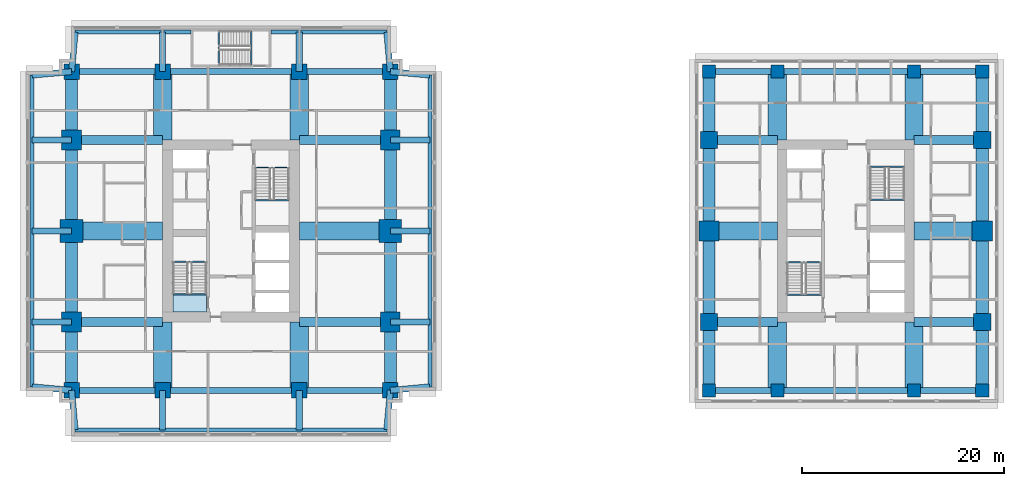
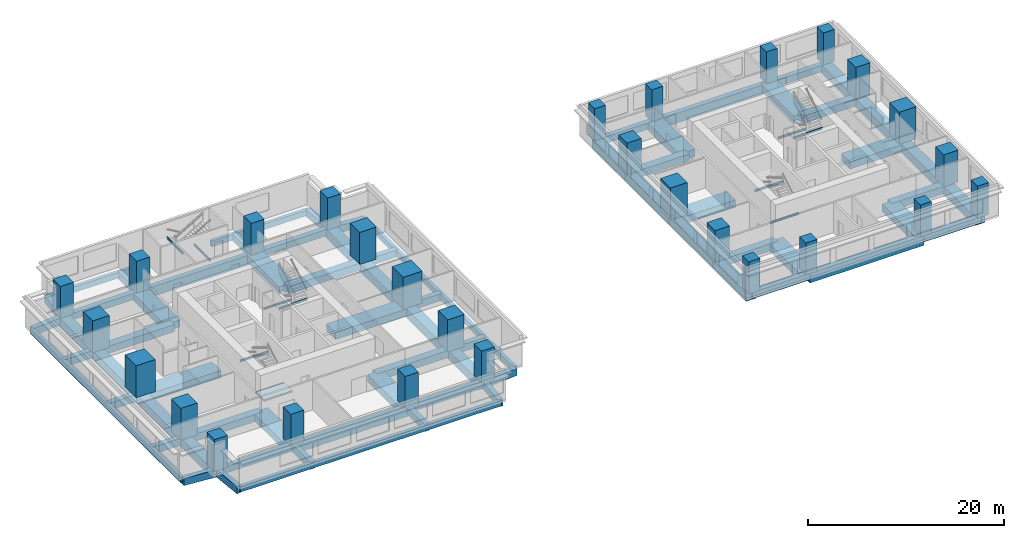
# One storey, part 1 of 11: 81 beams, 28 columns, 1 slab, 1 element without a shape of its own.
"""IFC4 building model written with IfcOpenShell, lengths in metres."""

from ifc_helpers import new_model, si_unit, direction, frame, origin, origin_2d, place, context, subcontext, project, spatial, polyline, rectangle, i_section, outline, extrude, material, layer, layer_set, material_profile, profile_set, type_object, element, aggregate, save


model = new_model("IFC4")

# Units and contexts
model_context = context("Model", 3, precision=1e-05, world=origin(), true_north=direction((0.0, 1.0)))
body_context = subcontext(model_context, "Body", "Model", "MODEL_VIEW")
ifc_project = project(units=[si_unit("LENGTHUNIT", "METRE"), si_unit("AREAUNIT", "SQUARE_METRE"), si_unit("VOLUMEUNIT", "CUBIC_METRE"), si_unit("PLANEANGLEUNIT", "RADIAN"), si_unit("MASSUNIT", "GRAM", prefix="KILO")], contexts=[model_context])

# Site, building, storey
site_placement = place(None, origin())
site = spatial("IfcSite", under=ifc_project, at=site_placement, CompositionType="ELEMENT")
building_placement = place(site_placement, origin())
building = spatial("IfcBuilding", under=site, at=building_placement, Name="Namib Vertical Campus", CompositionType="ELEMENT")
storey_placement = place(building_placement, frame((0.0, 0.0, 221.0)))
storey = spatial("IfcBuildingStorey", under=building, at=storey_placement, Name="L52", CompositionType="ELEMENT", Elevation=221.0)

# Columns
ifc_material_1 = material(Name="Concrete C60/75", Category="concrete")
ifc_material_profile_1 = material_profile(ifc_material_1, rectangle(XDim=1.300048828125, YDim=1.300048828125, at=origin_2d()))
ifc_profile_set_1 = profile_set([ifc_material_profile_1], Name="Concrete C60/75")
column_type_1 = type_object("IfcColumnType", Name="Column RC 1300x1300", PredefinedType="COLUMN", material=ifc_profile_set_1)
for number, where, z_axis, x_axis, name in (
    (1, (67.5, 4.5, 0.0), (0.0, 0.0, 1.0), (1.0, 0.0, 0.0), "Column C130 L52"),
    (2, (74.25, 4.5, 0.0), (0.0, 0.0, 1.0), (1.0, 0.0, 0.0), "Column C130 L52"),
    (3, (87.75, 4.5, 0.0), (0.0, 0.0, 1.0), (1.0, 0.0, 0.0), "Column C130 L52"),
    (4, (94.5, 4.5, 0.0), (0.0, 0.0, 1.0), (1.0, 0.0, 0.0), "Column C130 L52"),
    (5, (67.5, 36.0, 0.0), (0.0, 0.0, 1.0), (1.0, 0.0, 0.0), "Column C130 L52"),
    (6, (74.25, 36.0, 0.0), (0.0, 0.0, 1.0), (1.0, 0.0, 0.0), "Column C130 L52"),
    (7, (87.75, 36.0, 0.0), (0.0, 0.0, 1.0), (1.0, 0.0, 0.0), "Column C130 L52"),
    (8, (94.5, 36.0, 0.0), (0.0, 0.0, 1.0), (1.0, 0.0, 0.0), "Column C130 L52"),
):
    element("IfcColumn", number, at=place(storey_placement, frame(where, z_axis=z_axis, x_axis=x_axis)), inside=storey, type_object=column_type_1, Name=name, PredefinedType="COLUMN", context=body_context, shape_type="SweptSolid", body=[
        extrude(rectangle(XDim=1.300048828125, YDim=1.300048828125, at=origin_2d()), origin(), (0.0, 0.0, 1.0), 4.0),
    ])
ifc_material_2 = material(Name="Concrete C60/75", Category="concrete")
ifc_material_profile_2 = material_profile(ifc_material_2, rectangle(XDim=1.550048828125, YDim=1.550048828125, at=origin_2d()))
ifc_profile_set_2 = profile_set([ifc_material_profile_2], Name="Concrete C60/75")
column_type_2 = type_object("IfcColumnType", Name="Column RC 1550x1550", PredefinedType="COLUMN", material=ifc_profile_set_2)
for number, where, z_axis, x_axis, name in (
    (9, (4.5, 4.5, 0.0), (0.0, 0.0, 1.0), (1.0, 0.0, 0.0), "Column C155 L52"),
    (10, (13.5, 4.5, 0.0), (0.0, 0.0, 1.0), (1.0, 0.0, 0.0), "Column C155 L52"),
    (11, (27.0, 4.5, 0.0), (0.0, 0.0, 1.0), (1.0, 0.0, 0.0), "Column C155 L52"),
    (12, (36.0, 4.5, 0.0), (0.0, 0.0, 1.0), (1.0, 0.0, 0.0), "Column C155 L52"),
    (13, (4.5, 36.0, 0.0), (0.0, 0.0, 1.0), (1.0, 0.0, 0.0), "Column C155 L52"),
    (14, (13.5, 36.0, 0.0), (0.0, 0.0, 1.0), (1.0, 0.0, 0.0), "Column C155 L52"),
    (15, (27.0, 36.0, 0.0), (0.0, 0.0, 1.0), (1.0, 0.0, 0.0), "Column C155 L52"),
    (16, (36.0, 36.0, 0.0), (0.0, 0.0, 1.0), (1.0, 0.0, 0.0), "Column C155 L52"),
):
    element("IfcColumn", number, at=place(storey_placement, frame(where, z_axis=z_axis, x_axis=x_axis)), inside=storey, type_object=column_type_2, Name=name, PredefinedType="COLUMN", context=body_context, shape_type="SweptSolid", body=[
        extrude(rectangle(XDim=1.550048828125, YDim=1.550048828125, at=origin_2d()), origin(), (0.0, 0.0, 1.0), 4.0),
    ])
ifc_material_3 = material(Name="Concrete C60/75", Category="concrete")
ifc_material_profile_3 = material_profile(ifc_material_3, rectangle(XDim=1.699951171875, YDim=1.699951171875, at=origin_2d()))
ifc_profile_set_3 = profile_set([ifc_material_profile_3], Name="Concrete C60/75")
column_type_3 = type_object("IfcColumnType", Name="Column RC 1700x1700", PredefinedType="COLUMN", material=ifc_profile_set_3)
for number, where, z_axis, x_axis, name in (
    (17, (67.5, 11.25, 0.0), (0.0, 0.0, 1.0), (1.0, 0.0, 0.0), "Column C170 L52"),
    (18, (94.5, 11.25, 0.0), (0.0, 0.0, 1.0), (1.0, 0.0, 0.0), "Column C170 L52"),
    (19, (67.5, 29.25, 0.0), (0.0, 0.0, 1.0), (1.0, 0.0, 0.0), "Column C170 L52"),
    (20, (94.5, 29.25, 0.0), (0.0, 0.0, 1.0), (1.0, 0.0, 0.0), "Column C170 L52"),
):
    element("IfcColumn", number, at=place(storey_placement, frame(where, z_axis=z_axis, x_axis=x_axis)), inside=storey, type_object=column_type_3, Name=name, PredefinedType="COLUMN", context=body_context, shape_type="SweptSolid", body=[
        extrude(rectangle(XDim=1.699951171875, YDim=1.699951171875, at=origin_2d()), origin(), (0.0, 0.0, 1.0), 4.0),
    ])
ifc_material_4 = material(Name="Concrete C60/75", Category="concrete")
ifc_material_profile_4 = material_profile(ifc_material_4, rectangle(XDim=1.949951171875, YDim=1.949951171875, at=origin_2d()))
ifc_profile_set_4 = profile_set([ifc_material_profile_4], Name="Concrete C60/75")
column_type_4 = type_object("IfcColumnType", Name="Column RC 1950x1950", PredefinedType="COLUMN", material=ifc_profile_set_4)
for number, where, z_axis, x_axis, name in (
    (21, (4.5, 11.25, 0.0), (0.0, 0.0, 1.0), (1.0, 0.0, 0.0), "Column C195 L52"),
    (22, (36.0, 11.25, 0.0), (0.0, 0.0, 1.0), (1.0, 0.0, 0.0), "Column C195 L52"),
    (23, (4.5, 29.25, 0.0), (0.0, 0.0, 1.0), (1.0, 0.0, 0.0), "Column C195 L52"),
    (24, (36.0, 29.25, 0.0), (0.0, 0.0, 1.0), (1.0, 0.0, 0.0), "Column C195 L52"),
):
    element("IfcColumn", number, at=place(storey_placement, frame(where, z_axis=z_axis, x_axis=x_axis)), inside=storey, type_object=column_type_4, Name=name, PredefinedType="COLUMN", context=body_context, shape_type="SweptSolid", body=[
        extrude(rectangle(XDim=1.949951171875, YDim=1.949951171875, at=origin_2d()), origin(), (0.0, 0.0, 1.0), 4.0),
    ])
ifc_material_5 = material(Name="Concrete C60/75", Category="concrete")
ifc_material_profile_5 = material_profile(ifc_material_5, rectangle(XDim=2.0, YDim=2.0, at=origin_2d()))
ifc_profile_set_5 = profile_set([ifc_material_profile_5], Name="Concrete C60/75")
column_type_5 = type_object("IfcColumnType", Name="Column RC 2000x2000", PredefinedType="COLUMN", material=ifc_profile_set_5)
for number, where, z_axis, x_axis, name in (
    (25, (67.5, 20.25, 0.0), (0.0, 0.0, 1.0), (1.0, 0.0, 0.0), "Column C200 L52"),
    (26, (94.5, 20.25, 0.0), (0.0, 0.0, 1.0), (1.0, 0.0, 0.0), "Column C200 L52"),
):
    element("IfcColumn", number, at=place(storey_placement, frame(where, z_axis=z_axis, x_axis=x_axis)), inside=storey, type_object=column_type_5, Name=name, PredefinedType="COLUMN", context=body_context, shape_type="SweptSolid", body=[
        extrude(rectangle(XDim=2.0, YDim=2.0, at=origin_2d()), origin(), (0.0, 0.0, 1.0), 4.0),
    ])
ifc_material_6 = material(Name="Concrete C60/75", Category="concrete")
ifc_material_profile_6 = material_profile(ifc_material_6, rectangle(XDim=2.25, YDim=2.25, at=origin_2d()))
ifc_profile_set_6 = profile_set([ifc_material_profile_6], Name="Concrete C60/75")
column_type_6 = type_object("IfcColumnType", Name="Column RC 2250x2250", PredefinedType="COLUMN", material=ifc_profile_set_6)
for number, where, z_axis, x_axis, name in (
    (27, (4.5, 20.25, 0.0), (0.0, 0.0, 1.0), (1.0, 0.0, 0.0), "Column C225 L52"),
    (28, (36.0, 20.25, 0.0), (0.0, 0.0, 1.0), (1.0, 0.0, 0.0), "Column C225 L52"),
):
    element("IfcColumn", number, at=place(storey_placement, frame(where, z_axis=z_axis, x_axis=x_axis)), inside=storey, type_object=column_type_6, Name=name, PredefinedType="COLUMN", context=body_context, shape_type="SweptSolid", body=[
        extrude(rectangle(XDim=2.25, YDim=2.25, at=origin_2d()), origin(), (0.0, 0.0, 1.0), 4.0),
    ])

# Beams
ifc_material_7 = material(Name="Concrete C40/50", Category="concrete")
ifc_material_profile_7 = material_profile(ifc_material_7, rectangle(XDim=0.60009765625, YDim=0.89990234375, at=origin_2d()))
ifc_profile_set_7 = profile_set([ifc_material_profile_7], Name="Concrete C40/50")
beam_type_1 = type_object("IfcBeamType", Name="Cantilever girder RC 600x900", PredefinedType="BEAM", material=ifc_profile_set_7)
beam_1_placement = place(storey_placement, frame((4.5, 4.5, -0.699951171875), z_axis=(0.089411326146, -0.995994786511, 0.0), x_axis=(0.995994786511, 0.089411326146, 0.0)))
element("IfcBeam", 29, at=beam_1_placement, inside=storey, type_object=beam_type_1, Name="Beam B3 L52", PredefinedType="BEAM", context=body_context, shape_type="SweptSolid", body=[
    extrude(rectangle(XDim=0.60009765625, YDim=0.89990234375, at=origin_2d()), origin(), (0.0, 0.0, 1.0), 3.91552734375),
])
for number, where, z_axis, x_axis, name in (
    (30, (13.5, 4.5, -0.699951171875), (0.0, -1.0, 0.0), (1.0, 0.0, 0.0), "Beam B3 L52"),
    (31, (27.0, 4.5, -0.699951171875), (0.0, -1.0, 0.0), (1.0, 0.0, 0.0), "Beam B3 L52"),
):
    element("IfcBeam", number, at=place(storey_placement, frame(where, z_axis=z_axis, x_axis=x_axis)), inside=storey, type_object=beam_type_1, Name=name, PredefinedType="BEAM", context=body_context, shape_type="SweptSolid", body=[
        extrude(rectangle(XDim=0.60009765625, YDim=0.89990234375, at=origin_2d()), origin(), (0.0, 0.0, 1.0), 3.89990234375),
    ])
for number, where, z_axis, x_axis, name in (
    (32, (36.0, 4.5, -0.699951171875), (-0.089411326146, -0.995994786511, 0.0), (0.995994786511, -0.089411326146, 0.0), "Beam B3 L52"),
    (33, (4.5, 36.0, -0.699951171875), (0.089411326146, 0.995994786511, 0.0), (-0.995994786511, 0.089411326146, 0.0), "Beam B3 L52"),
):
    element("IfcBeam", number, at=place(storey_placement, frame(where, z_axis=z_axis, x_axis=x_axis)), inside=storey, type_object=beam_type_1, Name=name, PredefinedType="BEAM", context=body_context, shape_type="SweptSolid", body=[
        extrude(rectangle(XDim=0.60009765625, YDim=0.89990234375, at=origin_2d()), origin(), (0.0, 0.0, 1.0), 3.91552734375),
    ])
for number, where, z_axis, x_axis, name in (
    (34, (13.5, 36.0, -0.699951171875), (0.0, 1.0, 0.0), (-1.0, 0.0, 0.0), "Beam B3 L52"),
    (35, (27.0, 36.0, -0.699951171875), (0.0, 1.0, 0.0), (-1.0, 0.0, 0.0), "Beam B3 L52"),
):
    element("IfcBeam", number, at=place(storey_placement, frame(where, z_axis=z_axis, x_axis=x_axis)), inside=storey, type_object=beam_type_1, Name=name, PredefinedType="BEAM", context=body_context, shape_type="SweptSolid", body=[
        extrude(rectangle(XDim=0.60009765625, YDim=0.89990234375, at=origin_2d()), origin(), (0.0, 0.0, 1.0), 3.89990234375),
    ])
for number, where, z_axis, x_axis, name in (
    (36, (36.0, 36.0, -0.699951171875), (-0.089411326146, 0.995994786511, 0.0), (-0.995994786511, -0.089411326146, 0.0), "Beam B3 L52"),
    (37, (4.5, 4.5, -0.699951171875), (-0.995994786511, 0.089411326146, 0.0), (-0.089411326146, -0.995994786511, 0.0), "Beam B3 L52"),
):
    element("IfcBeam", number, at=place(storey_placement, frame(where, z_axis=z_axis, x_axis=x_axis)), inside=storey, type_object=beam_type_1, Name=name, PredefinedType="BEAM", context=body_context, shape_type="SweptSolid", body=[
        extrude(rectangle(XDim=0.60009765625, YDim=0.89990234375, at=origin_2d()), origin(), (0.0, 0.0, 1.0), 3.91552734375),
    ])
for number, where, z_axis, x_axis, name in (
    (38, (4.5, 11.25, -0.699951171875), (-1.0, 0.0, 0.0), (0.0, -1.0, 0.0), "Beam B3 L52"),
    (39, (4.5, 20.25, -0.699951171875), (-1.0, 0.0, 0.0), (0.0, -1.0, 0.0), "Beam B3 L52"),
    (40, (4.5, 29.25, -0.699951171875), (-1.0, 0.0, 0.0), (0.0, -1.0, 0.0), "Beam B3 L52"),
):
    element("IfcBeam", number, at=place(storey_placement, frame(where, z_axis=z_axis, x_axis=x_axis)), inside=storey, type_object=beam_type_1, Name=name, PredefinedType="BEAM", context=body_context, shape_type="SweptSolid", body=[
        extrude(rectangle(XDim=0.60009765625, YDim=0.89990234375, at=origin_2d()), origin(), (0.0, 0.0, 1.0), 3.89990234375),
    ])
for number, where, z_axis, x_axis, name in (
    (41, (4.5, 36.0, -0.699951171875), (-0.995994786511, -0.089411326146, 0.0), (0.089411326146, -0.995994786511, 0.0), "Beam B3 L52"),
    (42, (36.0, 4.5, -0.699951171875), (0.995994786511, 0.089411326146, 0.0), (-0.089411326146, 0.995994786511, 0.0), "Beam B3 L52"),
):
    element("IfcBeam", number, at=place(storey_placement, frame(where, z_axis=z_axis, x_axis=x_axis)), inside=storey, type_object=beam_type_1, Name=name, PredefinedType="BEAM", context=body_context, shape_type="SweptSolid", body=[
        extrude(rectangle(XDim=0.60009765625, YDim=0.89990234375, at=origin_2d()), origin(), (0.0, 0.0, 1.0), 3.91552734375),
    ])
for number, where, z_axis, x_axis, name in (
    (43, (36.0, 11.25, -0.699951171875), (1.0, 0.0, 0.0), (0.0, 1.0, 0.0), "Beam B3 L52"),
    (44, (36.0, 20.25, -0.699951171875), (1.0, 0.0, 0.0), (0.0, 1.0, 0.0), "Beam B3 L52"),
    (45, (36.0, 29.25, -0.699951171875), (1.0, 0.0, 0.0), (0.0, 1.0, 0.0), "Beam B3 L52"),
):
    element("IfcBeam", number, at=place(storey_placement, frame(where, z_axis=z_axis, x_axis=x_axis)), inside=storey, type_object=beam_type_1, Name=name, PredefinedType="BEAM", context=body_context, shape_type="SweptSolid", body=[
        extrude(rectangle(XDim=0.60009765625, YDim=0.89990234375, at=origin_2d()), origin(), (0.0, 0.0, 1.0), 3.89990234375),
    ])
beam_2_placement = place(storey_placement, frame((36.0, 36.0, -0.699951171875), z_axis=(0.995994786511, -0.089411326146, 0.0), x_axis=(0.089411326146, 0.995994786511, 0.0)))
element("IfcBeam", 46, at=beam_2_placement, inside=storey, type_object=beam_type_1, Name="Beam B3 L52", PredefinedType="BEAM", context=body_context, shape_type="SweptSolid", body=[
    extrude(rectangle(XDim=0.60009765625, YDim=0.89990234375, at=origin_2d()), origin(), (0.0, 0.0, 1.0), 3.91552734375),
])
ifc_material_8 = material(Name="Concrete C40/50", Category="concrete")
ifc_material_profile_8 = material_profile(ifc_material_8, rectangle(XDim=0.39990234375, YDim=0.699951171875, at=origin_2d()))
ifc_profile_set_8 = profile_set([ifc_material_profile_8], Name="Concrete C40/50")
beam_type_2 = type_object("IfcBeamType", Name="Edge beam RC 400x700", PredefinedType="SPANDREL", material=ifc_profile_set_8)
beam_3_placement = place(storey_placement, frame((4.85009765625, 0.60009765625, -0.60009765625), z_axis=(1.0, 0.0, 0.0), x_axis=(0.0, 1.0, 0.0)))
element("IfcBeam", 47, at=beam_3_placement, inside=storey, type_object=beam_type_2, Name="Beam B4 L52", PredefinedType="SPANDREL", context=body_context, shape_type="SweptSolid", body=[
    extrude(rectangle(XDim=0.39990234375, YDim=0.699951171875, at=origin_2d()), origin(), (0.0, 0.0, 1.0), 30.7998046875),
])
for number, where, z_axis, x_axis, name in (
    (48, (4.85009765625, 39.89990234375, -0.60009765625), (1.0, 0.0, 0.0), (0.0, 1.0, 0.0), "Beam B4 L52"),
    (49, (24.199951171875, 39.89990234375, -0.60009765625), (1.0, 0.0, 0.0), (0.0, 1.0, 0.0), "Beam B4 L52"),
):
    element("IfcBeam", number, at=place(storey_placement, frame(where, z_axis=z_axis, x_axis=x_axis)), inside=storey, type_object=beam_type_2, Name=name, PredefinedType="SPANDREL", context=body_context, shape_type="SweptSolid", body=[
        extrude(rectangle(XDim=0.39990234375, YDim=0.699951171875, at=origin_2d()), origin(), (0.0, 0.0, 1.0), 11.449951171875),
    ])
for number, where, z_axis, x_axis, name in (
    (50, (0.60009765625, 4.85009765625, -0.60009765625), (0.0, 1.0, 0.0), (-1.0, 0.0, 0.0), "Beam B4 L52"),
    (51, (39.89990234375, 4.85009765625, -0.60009765625), (0.0, 1.0, 0.0), (-1.0, 0.0, 0.0), "Beam B4 L52"),
):
    element("IfcBeam", number, at=place(storey_placement, frame(where, z_axis=z_axis, x_axis=x_axis)), inside=storey, type_object=beam_type_2, Name=name, PredefinedType="SPANDREL", context=body_context, shape_type="SweptSolid", body=[
        extrude(rectangle(XDim=0.39990234375, YDim=0.699951171875, at=origin_2d()), origin(), (0.0, 0.0, 1.0), 30.7998046875),
    ])
ifc_material_9 = material(Name="Concrete C40/50", Category="concrete")
ifc_material_profile_9 = material_profile(ifc_material_9, rectangle(XDim=0.89990234375, YDim=0.89990234375, at=origin_2d()))
ifc_profile_set_9 = profile_set([ifc_material_profile_9], Name="Concrete C40/50")
beam_type_3 = type_object("IfcBeamType", Name="Face girder RC 900x900", PredefinedType="BEAM", material=ifc_profile_set_9)
for number, where, z_axis, x_axis, name in (
    (52, (4.5, 11.25, -0.699951171875), (1.0, 0.0, 0.0), (0.0, 1.0, 0.0), "Beam B10 L52"),
    (53, (36.0, 11.25, -0.699951171875), (-1.0, 0.0, 0.0), (0.0, -1.0, 0.0), "Beam B10 L52"),
    (54, (4.5, 29.25, -0.699951171875), (1.0, 0.0, 0.0), (0.0, 1.0, 0.0), "Beam B10 L52"),
    (55, (36.0, 29.25, -0.699951171875), (-1.0, 0.0, 0.0), (0.0, -1.0, 0.0), "Beam B10 L52"),
):
    element("IfcBeam", number, at=place(storey_placement, frame(where, z_axis=z_axis, x_axis=x_axis)), inside=storey, type_object=beam_type_3, Name=name, PredefinedType="BEAM", context=body_context, shape_type="SweptSolid", body=[
        extrude(rectangle(XDim=0.89990234375, YDim=0.89990234375, at=origin_2d()), origin(), (0.0, 0.0, 1.0), 9.0),
    ])
for number, where, z_axis, x_axis, name in (
    (56, (67.5, 11.25, -0.699951171875), (1.0, 0.0, 0.0), (0.0, 1.0, 0.0), "Beam B10 L52"),
    (57, (94.5, 11.25, -0.699951171875), (-1.0, 0.0, 0.0), (0.0, -1.0, 0.0), "Beam B10 L52"),
    (58, (67.5, 29.25, -0.699951171875), (1.0, 0.0, 0.0), (0.0, 1.0, 0.0), "Beam B10 L52"),
    (59, (94.5, 29.25, -0.699951171875), (-1.0, 0.0, 0.0), (0.0, -1.0, 0.0), "Beam B10 L52"),
):
    element("IfcBeam", number, at=place(storey_placement, frame(where, z_axis=z_axis, x_axis=x_axis)), inside=storey, type_object=beam_type_3, Name=name, PredefinedType="BEAM", context=body_context, shape_type="SweptSolid", body=[
        extrude(rectangle(XDim=0.89990234375, YDim=0.89990234375, at=origin_2d()), origin(), (0.0, 0.0, 1.0), 6.75),
    ])
ifc_material_10 = material(Name="Concrete C40/50", Category="concrete")
ifc_material_profile_10 = material_profile(ifc_material_10, rectangle(XDim=1.199951171875, YDim=1.10009765625, at=origin_2d()))
ifc_profile_set_10 = profile_set([ifc_material_profile_10], Name="Concrete C40/50")
beam_type_4 = type_object("IfcBeamType", Name="Face ring beam RC 1200x1100", PredefinedType="BEAM", material=ifc_profile_set_10)
beam_4_placement = place(storey_placement, frame((4.5, 4.5, -0.800048828125), z_axis=(0.0, 1.0, 0.0), x_axis=(-1.0, 0.0, 0.0)))
element("IfcBeam", 60, at=beam_4_placement, inside=storey, type_object=beam_type_4, Name="Beam B11 L52", PredefinedType="BEAM", context=body_context, shape_type="SweptSolid", body=[
    extrude(rectangle(XDim=1.199951171875, YDim=1.10009765625, at=origin_2d()), origin(), (0.0, 0.0, 1.0), 6.75),
])
for number, where, z_axis, x_axis, name in (
    (61, (4.5, 11.25, -0.800048828125), (0.0, 1.0, 0.0), (-1.0, 0.0, 0.0), "Beam B11 L52"),
    (62, (4.5, 20.25, -0.800048828125), (0.0, 1.0, 0.0), (-1.0, 0.0, 0.0), "Beam B11 L52"),
):
    element("IfcBeam", number, at=place(storey_placement, frame(where, z_axis=z_axis, x_axis=x_axis)), inside=storey, type_object=beam_type_4, Name=name, PredefinedType="BEAM", context=body_context, shape_type="SweptSolid", body=[
        extrude(rectangle(XDim=1.199951171875, YDim=1.10009765625, at=origin_2d()), origin(), (0.0, 0.0, 1.0), 9.0),
    ])
for number, where, z_axis, x_axis, name in (
    (63, (4.5, 29.25, -0.800048828125), (0.0, 1.0, 0.0), (-1.0, 0.0, 0.0), "Beam B11 L52"),
    (64, (36.0, 4.5, -0.800048828125), (0.0, 1.0, 0.0), (-1.0, 0.0, 0.0), "Beam B11 L52"),
):
    element("IfcBeam", number, at=place(storey_placement, frame(where, z_axis=z_axis, x_axis=x_axis)), inside=storey, type_object=beam_type_4, Name=name, PredefinedType="BEAM", context=body_context, shape_type="SweptSolid", body=[
        extrude(rectangle(XDim=1.199951171875, YDim=1.10009765625, at=origin_2d()), origin(), (0.0, 0.0, 1.0), 6.75),
    ])
for number, where, z_axis, x_axis, name in (
    (65, (36.0, 11.25, -0.800048828125), (0.0, 1.0, 0.0), (-1.0, 0.0, 0.0), "Beam B11 L52"),
    (66, (36.0, 20.25, -0.800048828125), (0.0, 1.0, 0.0), (-1.0, 0.0, 0.0), "Beam B11 L52"),
):
    element("IfcBeam", number, at=place(storey_placement, frame(where, z_axis=z_axis, x_axis=x_axis)), inside=storey, type_object=beam_type_4, Name=name, PredefinedType="BEAM", context=body_context, shape_type="SweptSolid", body=[
        extrude(rectangle(XDim=1.199951171875, YDim=1.10009765625, at=origin_2d()), origin(), (0.0, 0.0, 1.0), 9.0),
    ])
for number, where, z_axis, x_axis, name in (
    (67, (36.0, 29.25, -0.800048828125), (0.0, 1.0, 0.0), (-1.0, 0.0, 0.0), "Beam B11 L52"),
    (68, (67.5, 4.5, -0.800048828125), (0.0, 1.0, 0.0), (-1.0, 0.0, 0.0), "Beam B11 L52"),
):
    element("IfcBeam", number, at=place(storey_placement, frame(where, z_axis=z_axis, x_axis=x_axis)), inside=storey, type_object=beam_type_4, Name=name, PredefinedType="BEAM", context=body_context, shape_type="SweptSolid", body=[
        extrude(rectangle(XDim=1.199951171875, YDim=1.10009765625, at=origin_2d()), origin(), (0.0, 0.0, 1.0), 6.75),
    ])
for number, where, z_axis, x_axis, name in (
    (69, (67.5, 11.25, -0.800048828125), (0.0, 1.0, 0.0), (-1.0, 0.0, 0.0), "Beam B11 L52"),
    (70, (67.5, 20.25, -0.800048828125), (0.0, 1.0, 0.0), (-1.0, 0.0, 0.0), "Beam B11 L52"),
):
    element("IfcBeam", number, at=place(storey_placement, frame(where, z_axis=z_axis, x_axis=x_axis)), inside=storey, type_object=beam_type_4, Name=name, PredefinedType="BEAM", context=body_context, shape_type="SweptSolid", body=[
        extrude(rectangle(XDim=1.199951171875, YDim=1.10009765625, at=origin_2d()), origin(), (0.0, 0.0, 1.0), 9.0),
    ])
for number, where, z_axis, x_axis, name in (
    (71, (67.5, 29.25, -0.800048828125), (0.0, 1.0, 0.0), (-1.0, 0.0, 0.0), "Beam B11 L52"),
    (72, (94.5, 4.5, -0.800048828125), (0.0, 1.0, 0.0), (-1.0, 0.0, 0.0), "Beam B11 L52"),
):
    element("IfcBeam", number, at=place(storey_placement, frame(where, z_axis=z_axis, x_axis=x_axis)), inside=storey, type_object=beam_type_4, Name=name, PredefinedType="BEAM", context=body_context, shape_type="SweptSolid", body=[
        extrude(rectangle(XDim=1.199951171875, YDim=1.10009765625, at=origin_2d()), origin(), (0.0, 0.0, 1.0), 6.75),
    ])
for number, where, z_axis, x_axis, name in (
    (73, (94.5, 11.25, -0.800048828125), (0.0, 1.0, 0.0), (-1.0, 0.0, 0.0), "Beam B11 L52"),
    (74, (94.5, 20.25, -0.800048828125), (0.0, 1.0, 0.0), (-1.0, 0.0, 0.0), "Beam B11 L52"),
):
    element("IfcBeam", number, at=place(storey_placement, frame(where, z_axis=z_axis, x_axis=x_axis)), inside=storey, type_object=beam_type_4, Name=name, PredefinedType="BEAM", context=body_context, shape_type="SweptSolid", body=[
        extrude(rectangle(XDim=1.199951171875, YDim=1.10009765625, at=origin_2d()), origin(), (0.0, 0.0, 1.0), 9.0),
    ])
beam_5_placement = place(storey_placement, frame((94.5, 29.25, -0.800048828125), z_axis=(0.0, 1.0, 0.0), x_axis=(-1.0, 0.0, 0.0)))
element("IfcBeam", 75, at=beam_5_placement, inside=storey, type_object=beam_type_4, Name="Beam B11 L52", PredefinedType="BEAM", context=body_context, shape_type="SweptSolid", body=[
    extrude(rectangle(XDim=1.199951171875, YDim=1.10009765625, at=origin_2d()), origin(), (0.0, 0.0, 1.0), 6.75),
])
ifc_material_11 = material(Name="Steel S355JR", Category="steel")
ifc_material_profile_11 = material_profile(ifc_material_11, i_section(OverallWidth=0.14599609375, OverallDepth=0.25146484375, WebThickness=0.006103515625, FlangeThickness=0.008544921875, FilletRadius=0.007568359375, at=origin_2d()))
ifc_profile_set_11 = profile_set([ifc_material_profile_11], Name="Steel S355JR")
beam_type_5 = type_object("IfcBeamType", Name="Landing trimmer UB 254x146x31", PredefinedType="BEAM", material=ifc_profile_set_11)
for number, where, z_axis, x_axis, name in (
    (76, (14.5, 13.97705078125, -0.125732421875), (1.0, 0.0, 0.0), (0.0, 1.0, 0.0), "Landing trimmer LT1 A-S1 L52 1"),
    (77, (14.5, 17.203125, 1.874267578125), (1.0, 0.0, 0.0), (0.0, 1.0, 0.0), "Landing trimmer LT1 A-S1 L52 2"),
    (78, (22.64990234375, 26.52294921875, -0.125732421875), (1.0, 0.0, 0.0), (0.0, 1.0, 0.0), "Landing trimmer LT1 A-S2 L52 1"),
    (79, (22.64990234375, 23.296875, 1.874267578125), (1.0, 0.0, 0.0), (0.0, 1.0, 0.0), "Landing trimmer LT1 A-S2 L52 2"),
):
    element("IfcBeam", number, at=place(storey_placement, frame(where, z_axis=z_axis, x_axis=x_axis)), inside=storey, type_object=beam_type_5, Name=name, PredefinedType="BEAM", context=body_context, shape_type="SweptSolid", body=[
        extrude(i_section(OverallWidth=0.14599609375, OverallDepth=0.25146484375, WebThickness=0.006103515625, FlangeThickness=0.008544921875, FilletRadius=0.007568359375, at=origin_2d()), origin(), (0.0, 0.0, 1.0), 3.35009765625),
    ])
for number, where, z_axis, x_axis, name in (
    (80, (75.199951171875, 13.927001953125, -0.125732421875), (1.0, 0.0, 0.0), (0.0, 1.0, 0.0), "Landing trimmer LT1 B-S1 L52 1"),
    (81, (75.199951171875, 17.153076171875, 1.874267578125), (1.0, 0.0, 0.0), (0.0, 1.0, 0.0), "Landing trimmer LT1 B-S1 L52 2"),
    (82, (83.39990234375, 26.572998046875, -0.125732421875), (1.0, 0.0, 0.0), (0.0, 1.0, 0.0), "Landing trimmer LT1 B-S2 L52 1"),
    (83, (83.39990234375, 23.346923828125, 1.874267578125), (1.0, 0.0, 0.0), (0.0, 1.0, 0.0), "Landing trimmer LT1 B-S2 L52 2"),
):
    element("IfcBeam", number, at=place(storey_placement, frame(where, z_axis=z_axis, x_axis=x_axis)), inside=storey, type_object=beam_type_5, Name=name, PredefinedType="BEAM", context=body_context, shape_type="SweptSolid", body=[
        extrude(i_section(OverallWidth=0.14599609375, OverallDepth=0.25146484375, WebThickness=0.006103515625, FlangeThickness=0.008544921875, FilletRadius=0.007568359375, at=origin_2d()), origin(), (0.0, 0.0, 1.0), 3.400146484375),
    ])
for number, where, z_axis, x_axis, name in (
    (84, (22.27294921875, 36.64990234375, -0.125732421875), (0.0, 1.0, 0.0), (-1.0, 0.0, 0.0), "Landing trimmer LT1 A-S3 L52 1"),
    (85, (19.046875, 36.64990234375, 1.874267578125), (0.0, 1.0, 0.0), (-1.0, 0.0, 0.0), "Landing trimmer LT1 A-S3 L52 2"),
):
    element("IfcBeam", number, at=place(storey_placement, frame(where, z_axis=z_axis, x_axis=x_axis)), inside=storey, type_object=beam_type_5, Name=name, PredefinedType="BEAM", context=body_context, shape_type="SweptSolid", body=[
        extrude(i_section(OverallWidth=0.14599609375, OverallDepth=0.25146484375, WebThickness=0.006103515625, FlangeThickness=0.008544921875, FilletRadius=0.007568359375, at=origin_2d()), origin(), (0.0, 0.0, 1.0), 3.35009765625),
    ])
ifc_material_12 = material(Name="Concrete C40/50", Category="concrete")
ifc_material_profile_12 = material_profile(ifc_material_12, rectangle(XDim=0.60009765625, YDim=1.199951171875, at=origin_2d()))
ifc_profile_set_12 = profile_set([ifc_material_profile_12], Name="Concrete C40/50")
beam_type_6 = type_object("IfcBeamType", Name="Long-span ring beam RC 600x1200", PredefinedType="BEAM", material=ifc_profile_set_12)
for number, where, z_axis, x_axis, name in (
    (86, (13.5, 4.5, -0.85009765625), (1.0, 0.0, 0.0), (0.0, 1.0, 0.0), "Beam B9 L52"),
    (87, (13.5, 36.0, -0.85009765625), (1.0, 0.0, 0.0), (0.0, 1.0, 0.0), "Beam B9 L52"),
    (88, (74.25, 4.5, -0.85009765625), (1.0, 0.0, 0.0), (0.0, 1.0, 0.0), "Beam B9 L52"),
    (89, (74.25, 36.0, -0.85009765625), (1.0, 0.0, 0.0), (0.0, 1.0, 0.0), "Beam B9 L52"),
):
    element("IfcBeam", number, at=place(storey_placement, frame(where, z_axis=z_axis, x_axis=x_axis)), inside=storey, type_object=beam_type_6, Name=name, PredefinedType="BEAM", context=body_context, shape_type="SweptSolid", body=[
        extrude(rectangle(XDim=0.60009765625, YDim=1.199951171875, at=origin_2d()), origin(), (0.0, 0.0, 1.0), 13.5),
    ])
ifc_material_13 = material(Name="Concrete C40/50", Category="concrete")
ifc_material_profile_13 = material_profile(ifc_material_13, rectangle(XDim=1.800048828125, YDim=0.89990234375, at=origin_2d()))
ifc_profile_set_13 = profile_set([ifc_material_profile_13], Name="Concrete C40/50")
beam_type_7 = type_object("IfcBeamType", Name="Outrigger line girder RC 1800x900", PredefinedType="BEAM", material=ifc_profile_set_13)
for number, where, z_axis, x_axis, name in (
    (90, (13.5, 4.5, -0.699951171875), (0.0, 1.0, 0.0), (-1.0, 0.0, 0.0), "Beam B12 L52"),
    (91, (13.5, 36.0, -0.699951171875), (0.0, -1.0, 0.0), (1.0, 0.0, 0.0), "Beam B12 L52"),
    (92, (27.0, 4.5, -0.699951171875), (0.0, 1.0, 0.0), (-1.0, 0.0, 0.0), "Beam B12 L52"),
    (93, (27.0, 36.0, -0.699951171875), (0.0, -1.0, 0.0), (1.0, 0.0, 0.0), "Beam B12 L52"),
):
    element("IfcBeam", number, at=place(storey_placement, frame(where, z_axis=z_axis, x_axis=x_axis)), inside=storey, type_object=beam_type_7, Name=name, PredefinedType="BEAM", context=body_context, shape_type="SweptSolid", body=[
        extrude(rectangle(XDim=1.800048828125, YDim=0.89990234375, at=origin_2d()), origin(), (0.0, 0.0, 1.0), 6.75),
    ])
for number, where, z_axis, x_axis, name in (
    (94, (4.5, 20.25, -0.699951171875), (1.0, 0.0, 0.0), (0.0, 1.0, 0.0), "Beam B12 L52"),
    (95, (36.0, 20.25, -0.699951171875), (-1.0, 0.0, 0.0), (0.0, -1.0, 0.0), "Beam B12 L52"),
):
    element("IfcBeam", number, at=place(storey_placement, frame(where, z_axis=z_axis, x_axis=x_axis)), inside=storey, type_object=beam_type_7, Name=name, PredefinedType="BEAM", context=body_context, shape_type="SweptSolid", body=[
        extrude(rectangle(XDim=1.800048828125, YDim=0.89990234375, at=origin_2d()), origin(), (0.0, 0.0, 1.0), 9.0),
    ])
for number, where, z_axis, x_axis, name in (
    (96, (74.25, 4.5, -0.699951171875), (0.0, 1.0, 0.0), (-1.0, 0.0, 0.0), "Beam B12 L52"),
    (97, (74.25, 36.0, -0.699951171875), (0.0, -1.0, 0.0), (1.0, 0.0, 0.0), "Beam B12 L52"),
    (98, (87.75, 4.5, -0.699951171875), (0.0, 1.0, 0.0), (-1.0, 0.0, 0.0), "Beam B12 L52"),
    (99, (87.75, 36.0, -0.699951171875), (0.0, -1.0, 0.0), (1.0, 0.0, 0.0), "Beam B12 L52"),
    (100, (67.5, 20.25, -0.699951171875), (1.0, 0.0, 0.0), (0.0, 1.0, 0.0), "Beam B12 L52"),
    (101, (94.5, 20.25, -0.699951171875), (-1.0, 0.0, 0.0), (0.0, -1.0, 0.0), "Beam B12 L52"),
):
    element("IfcBeam", number, at=place(storey_placement, frame(where, z_axis=z_axis, x_axis=x_axis)), inside=storey, type_object=beam_type_7, Name=name, PredefinedType="BEAM", context=body_context, shape_type="SweptSolid", body=[
        extrude(rectangle(XDim=1.800048828125, YDim=0.89990234375, at=origin_2d()), origin(), (0.0, 0.0, 1.0), 6.75),
    ])
ifc_material_14 = material(Name="Concrete C40/50", Category="concrete")
ifc_material_profile_14 = material_profile(ifc_material_14, rectangle(XDim=0.60009765625, YDim=0.800048828125, at=origin_2d()))
ifc_profile_set_14 = profile_set([ifc_material_profile_14], Name="Concrete C40/50")
beam_type_8 = type_object("IfcBeamType", Name="Ring beam RC 600x800", PredefinedType="BEAM", material=ifc_profile_set_14)
for number, where, z_axis, x_axis, name in (
    (102, (4.5, 4.5, -0.64990234375), (1.0, 0.0, 0.0), (0.0, 1.0, 0.0), "Beam B1 L52"),
    (103, (27.0, 4.5, -0.64990234375), (1.0, 0.0, 0.0), (0.0, 1.0, 0.0), "Beam B1 L52"),
    (104, (4.5, 36.0, -0.64990234375), (1.0, 0.0, 0.0), (0.0, 1.0, 0.0), "Beam B1 L52"),
    (105, (27.0, 36.0, -0.64990234375), (1.0, 0.0, 0.0), (0.0, 1.0, 0.0), "Beam B1 L52"),
):
    element("IfcBeam", number, at=place(storey_placement, frame(where, z_axis=z_axis, x_axis=x_axis)), inside=storey, type_object=beam_type_8, Name=name, PredefinedType="BEAM", context=body_context, shape_type="SweptSolid", body=[
        extrude(rectangle(XDim=0.60009765625, YDim=0.800048828125, at=origin_2d()), origin(), (0.0, 0.0, 1.0), 9.0),
    ])
for number, where, z_axis, x_axis, name in (
    (106, (67.5, 4.5, -0.64990234375), (1.0, 0.0, 0.0), (0.0, 1.0, 0.0), "Beam B1 L52"),
    (107, (87.75, 4.5, -0.64990234375), (1.0, 0.0, 0.0), (0.0, 1.0, 0.0), "Beam B1 L52"),
    (108, (67.5, 36.0, -0.64990234375), (1.0, 0.0, 0.0), (0.0, 1.0, 0.0), "Beam B1 L52"),
    (109, (87.75, 36.0, -0.64990234375), (1.0, 0.0, 0.0), (0.0, 1.0, 0.0), "Beam B1 L52"),
):
    element("IfcBeam", number, at=place(storey_placement, frame(where, z_axis=z_axis, x_axis=x_axis)), inside=storey, type_object=beam_type_8, Name=name, PredefinedType="BEAM", context=body_context, shape_type="SweptSolid", body=[
        extrude(rectangle(XDim=0.60009765625, YDim=0.800048828125, at=origin_2d()), origin(), (0.0, 0.0, 1.0), 6.75),
    ])

# Stair, slab
ifc_material_15 = material(Name="Concrete C40/50 precast", Category="concrete")
stair_type = type_object("IfcStairType", Name="Exit stair 4000 rise 24 risers 3350 wide", PredefinedType="HALF_TURN_STAIR", material=ifc_material_15)
stair_placement = place(storey_placement, origin())
stair = element("IfcStair", 110, at=stair_placement, inside=storey, type_object=stair_type, Name="Exit stair A-S1 L52", PredefinedType="HALF_TURN_STAIR")
ifc_material_16 = material(Name="Concrete C40/50", Category="concrete")
ifc_layer = layer(ifc_material_16, 0.199951171875)
ifc_layer_set = layer_set([ifc_layer], Name="Concrete C40/50")
slab_type = type_object("IfcSlabType", Name="Stair landing 200", PredefinedType="LANDING", material=ifc_layer_set)
slab_placement = place(storey_placement, frame((0.0, 0.0, -0.199951171875)))
slab = element("IfcSlab", 111, at=slab_placement, type_object=slab_type, Name="A-S1 landing 1", PredefinedType="LANDING", context=body_context, shape_type="SweptSolid", body=[
    extrude(outline(polyline([(14.5, 12.25), (17.85009765625, 12.25), (17.85009765625, 13.90380859375), (14.5, 13.90380859375), (14.5, 12.25)])), origin(), (0.0, 0.0, 1.0), 0.199951171875),
])
aggregate(stair, [slab])

save(model, "model.ifc")
